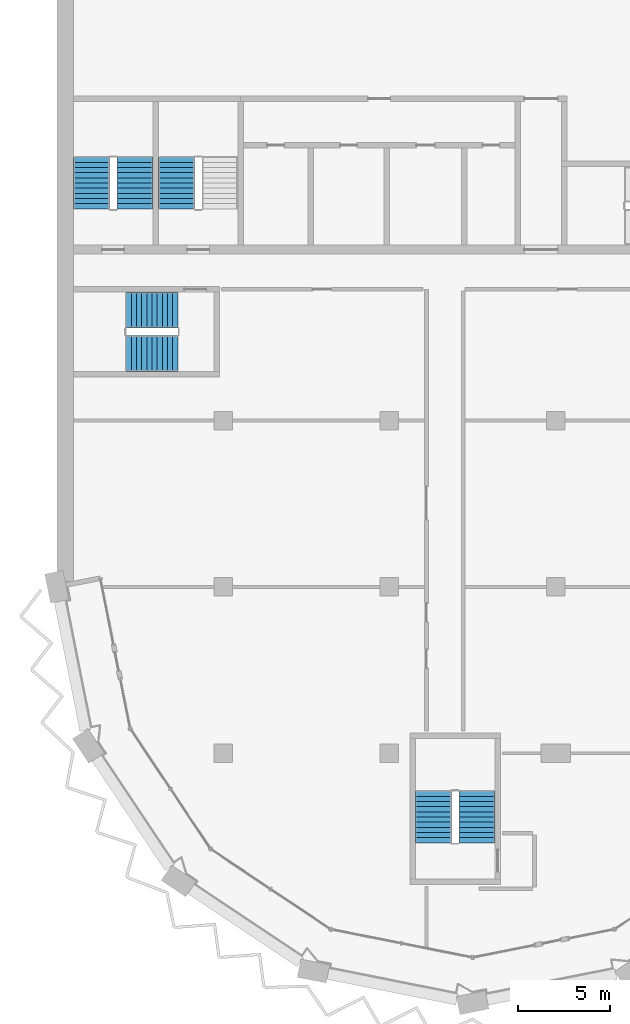
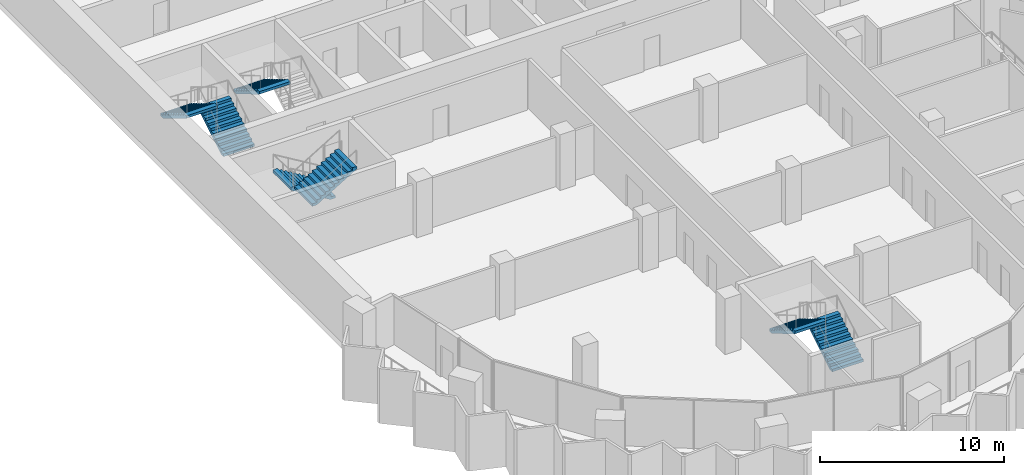
# One storey, part 11 of 16: 7 stair flights, 4 elements without a shape of their own.
"""IFC4 building model written with IfcOpenShell, lengths in metres."""

import ifcopenshell
import ifcopenshell.guid

model = None  # the IFC model being written
_history = None  # IfcOwnerHistory: only IFC2X3 demands one
_inside = {}  # id of a spatial element -> (the spatial element, [elements in it])
_under = {}  # id of a project, library or spatial element -> (it, [spatial elements below it])
_declared = {}  # id of a project -> (the project, [libraries it declares])
_typed = {}  # id of a type object -> (the type object, [elements of that type])
_made_of = {}  # id of a material, layer set ... -> (it, [elements and type objects made of it])


def new_model(schema):
    """Start an empty IFC model of exactly this schema.

    Asked for "IFC4X3", IfcOpenShell would pick the latest addendum, in which some entities
    have other attributes; the version numbers below select the first issue.
    IFC2X3 requires an IfcOwnerHistory on every rooted entity: one is made here for all.
    """
    global model, _history
    if schema == "IFC4X3":
        model = ifcopenshell.file(schema_version=(4, 3, 0, 0))
    else:
        model = ifcopenshell.file(schema=schema)
    _inside.clear()
    _under.clear()
    _declared.clear()
    _typed.clear()
    _made_of.clear()
    _history = None
    if model.schema == "IFC2X3":
        org = make("IfcOrganization", Name="unknown")
        user = make(
            "IfcPersonAndOrganization",
            ThePerson=make("IfcPerson", FamilyName="unknown"),
            TheOrganization=org,
        )
        app = make(
            "IfcApplication",
            ApplicationDeveloper=org,
            Version="unknown",
            ApplicationFullName="unknown",
            ApplicationIdentifier="unknown",
        )
        _history = make(
            "IfcOwnerHistory",
            OwningUser=user,
            OwningApplication=app,
            ChangeAction="ADDED",
            CreationDate=0,
        )
    return model


def make(cls, **values):
    """One entity of the class cls with the attributes given. An attribute that is None is left unset."""
    return model.create_entity(
        cls, **{name: value for name, value in values.items() if value is not None}
    )


def rooted(cls, **values):
    """An entity with a GlobalId (a new one), such as an element, a storey or a relation."""
    return make(cls, GlobalId=ifcopenshell.guid.new(), OwnerHistory=_history, **values)


def si_unit(unit_type, name, prefix=None):
    """IfcSIUnit, for example si_unit("LENGTHUNIT", "METRE", prefix="MILLI")."""
    return make("IfcSIUnit", UnitType=unit_type, Prefix=prefix, Name=name)


def assignment(units):
    """IfcUnitAssignment: the units of a project."""
    return None if units is None else make("IfcUnitAssignment", Units=units)


def point(xyz):
    """IfcCartesianPoint."""
    return None if xyz is None else make("IfcCartesianPoint", Coordinates=xyz)


def direction(xyz):
    """IfcDirection."""
    return None if xyz is None else make("IfcDirection", DirectionRatios=xyz)


def frame(location, z_axis=None, x_axis=None):
    """IfcAxis2Placement3D, a coordinate frame: its origin and axes. An axis left out is left unset."""
    return make(
        "IfcAxis2Placement3D",
        Location=point(location),
        Axis=direction(z_axis),
        RefDirection=direction(x_axis),
    )


def origin():
    """The frame at (0, 0, 0) with its axes left unset."""
    return frame((0.0, 0.0, 0.0))


def place(relative_to, where):
    """IfcLocalPlacement: puts the frame where relative to a parent placement (None: the world)."""
    return make(
        "IfcLocalPlacement", PlacementRelTo=relative_to, RelativePlacement=where
    )


def context(
    kind, dimensions, precision=None, world=None, true_north=None, identifier=None
):
    """IfcGeometricRepresentationContext, for example the 3D "Model" context."""
    return make(
        "IfcGeometricRepresentationContext",
        ContextIdentifier=identifier,
        ContextType=kind,
        CoordinateSpaceDimension=dimensions,
        Precision=precision,
        WorldCoordinateSystem=world,
        TrueNorth=true_north,
    )


def subcontext(parent, identifier, kind, view, scale=None):
    """IfcGeometricRepresentationSubContext, for example "Body" below "Model"."""
    return make(
        "IfcGeometricRepresentationSubContext",
        ContextIdentifier=identifier,
        ContextType=kind,
        ParentContext=parent,
        TargetScale=scale,
        TargetView=view,
    )


def project(units=None, contexts=None):
    """IfcProject with its units and contexts."""
    return rooted(
        "IfcProject",
        Name="project",
        RepresentationContexts=contexts,
        UnitsInContext=assignment(units),
    )


def spatial(cls, under=None, at=None, **own):
    """A site, building, storey or space (cls), placed at a placement, below another one or the project."""
    s = rooted(cls, ObjectPlacement=at, **own)
    if under is not None:
        _under.setdefault(under.id(), (under, []))[1].append(s)
    return s


def polyline(points):
    """IfcPolyline through the points."""
    return make("IfcPolyline", Points=[point(p) for p in points])


def outline(outer, holes=None, kind="AREA"):
    """IfcArbitraryClosedProfileDef: a profile drawn as a closed curve; with holes, ...WithVoids."""
    if holes is None:
        return make("IfcArbitraryClosedProfileDef", ProfileType=kind, OuterCurve=outer)
    return make(
        "IfcArbitraryProfileDefWithVoids",
        ProfileType=kind,
        OuterCurve=outer,
        InnerCurves=holes,
    )


def extrude(swept, where, along, depth):
    """IfcExtrudedAreaSolid: the profile swept, set in the frame where, extruded along a direction by depth."""
    return make(
        "IfcExtrudedAreaSolid",
        SweptArea=swept,
        Position=where,
        ExtrudedDirection=direction(along),
        Depth=depth,
    )


def shape(context_of_items, identifier, shape_type, items):
    """IfcShapeRepresentation: the items that make up one representation, for example the "Body"."""
    return make(
        "IfcShapeRepresentation",
        ContextOfItems=context_of_items,
        RepresentationIdentifier=identifier,
        RepresentationType=shape_type,
        Items=items,
    )


def material(Name=None, Category=None):
    """IfcMaterial."""
    return make("IfcMaterial", Name=Name, Category=Category)


def made_of(thing, what):
    """Note that an element or type object is made of a material, layer set ...; save() writes the relation."""
    if what is not None:
        _made_of.setdefault(what.id(), (what, []))[1].append(thing)
    return thing


def type_object(cls, material=None, **own):
    """A type object (cls), such as IfcWallType, which elements share."""
    return made_of(rooted(cls, **own), material)


def element(
    cls,
    number,
    at=None,
    inside=None,
    cuts=None,
    type_object=None,
    material=None,
    context=None,
    identifier="Body",
    shape_type=None,
    held_by="IfcProductDefinitionShape",
    body=None,
    shapes=None,
    **own,
):
    """One element of the class cls, such as IfcWall. Its Tag is "e" and its number.

    at: its placement. inside: the storey or other place that contains it. cuts: it is an
    opening in that element (IfcRelVoidsElement). A single representation is given by context,
    identifier, shape_type and body (its items); several are given by shapes. held_by: the class
    of the entity that holds the representations. save() writes the other relations.
    """
    e = rooted(cls, Tag="e%d" % number, ObjectPlacement=at, **own)
    if body is not None:
        shapes = [shape(context, identifier, shape_type, body)]
    if shapes is not None:
        e.Representation = make(held_by, Representations=shapes)
    if inside is not None:
        _inside.setdefault(inside.id(), (inside, []))[1].append(e)
    if cuts is not None:
        rooted(
            "IfcRelVoidsElement", RelatingBuildingElement=cuts, RelatedOpeningElement=e
        )
    if type_object is not None:
        _typed.setdefault(type_object.id(), (type_object, []))[1].append(e)
    return made_of(e, material)


def aggregate(whole, parts):
    """IfcRelAggregates: a whole, such as a stair, and the parts it consists of."""
    return rooted("IfcRelAggregates", RelatingObject=whole, RelatedObjects=parts)


def save(model, path):
    """Write the relations noted so far, then the file.

    IfcRelAggregates (storeys below a building ...), IfcRelContainedInSpatialStructure (elements
    in a storey), IfcRelDefinesByType, IfcRelAssociatesMaterial and IfcRelDeclares: one each for
    every whole, place, type object, material and project.
    """
    for whole, parts in _under.values():
        aggregate(whole, parts)
    for where, things in _inside.values():
        rooted(
            "IfcRelContainedInSpatialStructure",
            RelatedElements=things,
            RelatingStructure=where,
        )
    for kind, things in _typed.values():
        rooted("IfcRelDefinesByType", RelatedObjects=things, RelatingType=kind)
    for what, things in _made_of.values():
        rooted("IfcRelAssociatesMaterial", RelatedObjects=things, RelatingMaterial=what)
    for by, libraries in _declared.values():
        rooted("IfcRelDeclares", RelatingContext=by, RelatedDefinitions=libraries)
    model.write(path)


model = new_model("IFC4")

# Units and contexts
model_context = context("Model", 3, precision=1e-05, world=origin(), true_north=direction((0.0, 1.0)))
body_context = subcontext(model_context, "Body", "Model", "MODEL_VIEW")
ifc_project = project(units=[si_unit("LENGTHUNIT", "METRE"), si_unit("AREAUNIT", "SQUARE_METRE"), si_unit("VOLUMEUNIT", "CUBIC_METRE"), si_unit("PLANEANGLEUNIT", "RADIAN"), si_unit("MASSUNIT", "GRAM", prefix="KILO")], contexts=[model_context])

# Site, building, storey
site_placement = place(None, origin())
site = spatial("IfcSite", under=ifc_project, at=site_placement, CompositionType="ELEMENT")
building_placement = place(site_placement, origin())
building = spatial("IfcBuilding", under=site, at=building_placement, Name="Hunhe Ridgeline Campus", CompositionType="ELEMENT")
storey_placement = place(building_placement, frame((0.0, 0.0, 257.699951171875)))
storey = spatial("IfcBuildingStorey", under=building, at=storey_placement, Name="L66", CompositionType="ELEMENT", Elevation=257.699951171875)

# Stair, stair flights
ifc_material = material(Name="Concrete C40", Category="concrete")
stair_type = type_object("IfcStairType", Name="Reinforced concrete dog-leg stair 1950 Concrete C40", PredefinedType="HALF_TURN_STAIR", material=ifc_material)
stair_1_placement = place(storey_placement, origin())
stair_1 = element("IfcStair", 1, at=stair_1_placement, inside=storey, type_object=stair_type, Name="L66 S3", PredefinedType="HALF_TURN_STAIR")
stair_flight_type = type_object("IfcStairFlightType", Name="Reinforced concrete stair flight 1950 Concrete C40", PredefinedType="STRAIGHT", material=ifc_material)
stair_flight_1_placement = place(storey_placement, frame((4.22509765625, 65.449951171875, 0.0), z_axis=(0.0, 0.0, 1.0), x_axis=(0.0, 1.0, 0.0)))
stair_flight_1 = element("IfcStairFlight", 2, at=stair_flight_1_placement, type_object=stair_flight_type, Name="ST3 flight 1", NumberOfRisers=11, NumberOfTreads=10, PredefinedType="STRAIGHT", RiserHeight=0.168181818, TreadLength=0.28, context=body_context, shape_type="SweptSolid", body=[
    extrude(outline(polyline([(0.0, 0.0), (0.0, 0.168212890625), (0.280029296875, 0.168212890625), (0.280029296875, 0.33642578125), (0.56005859375, 0.33642578125), (0.56005859375, 0.504638671875), (0.840087890625, 0.504638671875), (0.840087890625, 0.672607421875), (1.1201171875, 0.672607421875), (1.1201171875, 0.8408203125), (1.39990234375, 0.8408203125), (1.39990234375, 1.009033203125), (1.679931640625, 1.009033203125), (1.679931640625, 1.17724609375), (1.9599609375, 1.17724609375), (1.9599609375, 1.345458984375), (2.239990234375, 1.345458984375), (2.239990234375, 1.513671875), (2.52001953125, 1.513671875), (2.52001953125, 1.681884765625), (2.800048828125, 1.681884765625), (2.800048828125, 1.85009765625), (2.800048828125, 1.5068359375), (0.291015625, 0.0), (0.0, 0.0)])), frame((0.0, 0.97509765625, 0.0), z_axis=(0.0, -1.0, 0.0), x_axis=(1.0, 0.0, 0.0)), (0.0, 0.0, 1.0), 1.949951171875),
    extrude(outline(polyline([(0.030029296875, 0.030029296875), (0.030029296875, 0.13818359375), (0.31005859375, 0.13818359375), (0.31005859375, 0.306396484375), (0.590087890625, 0.306396484375), (0.590087890625, 0.474609375), (0.8701171875, 0.474609375), (0.8701171875, 0.642578125), (1.14990234375, 0.642578125), (1.14990234375, 0.810791015625), (1.429931640625, 0.810791015625), (1.429931640625, 0.97900390625), (1.7099609375, 0.97900390625), (1.7099609375, 1.147216796875), (1.989990234375, 1.147216796875), (1.989990234375, 1.3154296875), (2.27001953125, 1.3154296875), (2.27001953125, 1.483642578125), (2.550048828125, 1.483642578125), (2.550048828125, 1.65185546875), (2.77001953125, 1.65185546875), (2.77001953125, 1.52392578125), (0.28271484375, 0.030029296875), (0.030029296875, 0.030029296875)])), frame((0.0, -0.070068359375, 0.0), z_axis=(0.0, -1.0, 0.0), x_axis=(1.0, 0.0, 0.0)), (0.0, 0.0, 1.0), 0.019775390625),
    extrude(outline(polyline([(0.030029296875, 0.030029296875), (0.030029296875, 0.13818359375), (0.31005859375, 0.13818359375), (0.31005859375, 0.306396484375), (0.590087890625, 0.306396484375), (0.590087890625, 0.474609375), (0.8701171875, 0.474609375), (0.8701171875, 0.642578125), (1.14990234375, 0.642578125), (1.14990234375, 0.810791015625), (1.429931640625, 0.810791015625), (1.429931640625, 0.97900390625), (1.7099609375, 0.97900390625), (1.7099609375, 1.147216796875), (1.989990234375, 1.147216796875), (1.989990234375, 1.3154296875), (2.27001953125, 1.3154296875), (2.27001953125, 1.483642578125), (2.550048828125, 1.483642578125), (2.550048828125, 1.65185546875), (2.77001953125, 1.65185546875), (2.77001953125, 1.52392578125), (0.28271484375, 0.030029296875), (0.030029296875, 0.030029296875)])), frame((0.0, 0.010009765625, 0.0), z_axis=(0.0, -1.0, 0.0), x_axis=(1.0, 0.0, 0.0)), (0.0, 0.0, 1.0), 0.019775390625),
    extrude(outline(polyline([(0.030029296875, 0.030029296875), (0.030029296875, 0.13818359375), (0.31005859375, 0.13818359375), (0.31005859375, 0.306396484375), (0.590087890625, 0.306396484375), (0.590087890625, 0.474609375), (0.8701171875, 0.474609375), (0.8701171875, 0.642578125), (1.14990234375, 0.642578125), (1.14990234375, 0.810791015625), (1.429931640625, 0.810791015625), (1.429931640625, 0.97900390625), (1.7099609375, 0.97900390625), (1.7099609375, 1.147216796875), (1.989990234375, 1.147216796875), (1.989990234375, 1.3154296875), (2.27001953125, 1.3154296875), (2.27001953125, 1.483642578125), (2.550048828125, 1.483642578125), (2.550048828125, 1.65185546875), (2.77001953125, 1.65185546875), (2.77001953125, 1.52392578125), (0.28271484375, 0.030029296875), (0.030029296875, 0.030029296875)])), frame((0.0, 0.090087890625, 0.0), z_axis=(0.0, -1.0, 0.0), x_axis=(1.0, 0.0, 0.0)), (0.0, 0.0, 1.0), 0.019775390625),
])
stair_flight_2_placement = place(storey_placement, frame((1.875, 68.25, 1.85009765625), z_axis=(0.0, 0.0, 1.0), x_axis=(0.0, -1.0, 0.0)))
stair_flight_2 = element("IfcStairFlight", 3, at=stair_flight_2_placement, type_object=stair_flight_type, Name="ST3 flight 2", NumberOfRisers=11, NumberOfTreads=10, PredefinedType="STRAIGHT", RiserHeight=0.168181818, TreadLength=0.28, context=body_context, shape_type="SweptSolid", body=[
    extrude(outline(polyline([(0.0, 0.0), (0.0, 0.168212890625), (0.280029296875, 0.168212890625), (0.280029296875, 0.33642578125), (0.56005859375, 0.33642578125), (0.56005859375, 0.504638671875), (0.840087890625, 0.504638671875), (0.840087890625, 0.672607421875), (1.1201171875, 0.672607421875), (1.1201171875, 0.8408203125), (1.39990234375, 0.8408203125), (1.39990234375, 1.009033203125), (1.679931640625, 1.009033203125), (1.679931640625, 1.17724609375), (1.9599609375, 1.17724609375), (1.9599609375, 1.345458984375), (2.239990234375, 1.345458984375), (2.239990234375, 1.513671875), (2.52001953125, 1.513671875), (2.52001953125, 1.681884765625), (2.800048828125, 1.681884765625), (2.800048828125, 1.85009765625), (2.800048828125, 1.5068359375), (0.291015625, 0.0), (0.0, 0.0)])), frame((0.0, 0.97509765625, 0.0), z_axis=(0.0, -1.0, 0.0), x_axis=(1.0, 0.0, 0.0)), (0.0, 0.0, 1.0), 1.949951171875),
    extrude(outline(polyline([(0.030029296875, 0.030029296875), (0.030029296875, 0.13818359375), (0.31005859375, 0.13818359375), (0.31005859375, 0.306396484375), (0.590087890625, 0.306396484375), (0.590087890625, 0.474609375), (0.8701171875, 0.474609375), (0.8701171875, 0.642578125), (1.14990234375, 0.642578125), (1.14990234375, 0.810791015625), (1.429931640625, 0.810791015625), (1.429931640625, 0.97900390625), (1.7099609375, 0.97900390625), (1.7099609375, 1.147216796875), (1.989990234375, 1.147216796875), (1.989990234375, 1.3154296875), (2.27001953125, 1.3154296875), (2.27001953125, 1.483642578125), (2.550048828125, 1.483642578125), (2.550048828125, 1.65185546875), (2.77001953125, 1.65185546875), (2.77001953125, 1.52392578125), (0.28271484375, 0.030029296875), (0.030029296875, 0.030029296875)])), frame((0.0, -0.070068359375, 0.0), z_axis=(0.0, -1.0, 0.0), x_axis=(1.0, 0.0, 0.0)), (0.0, 0.0, 1.0), 0.019775390625),
    extrude(outline(polyline([(0.030029296875, 0.030029296875), (0.030029296875, 0.13818359375), (0.31005859375, 0.13818359375), (0.31005859375, 0.306396484375), (0.590087890625, 0.306396484375), (0.590087890625, 0.474609375), (0.8701171875, 0.474609375), (0.8701171875, 0.642578125), (1.14990234375, 0.642578125), (1.14990234375, 0.810791015625), (1.429931640625, 0.810791015625), (1.429931640625, 0.97900390625), (1.7099609375, 0.97900390625), (1.7099609375, 1.147216796875), (1.989990234375, 1.147216796875), (1.989990234375, 1.3154296875), (2.27001953125, 1.3154296875), (2.27001953125, 1.483642578125), (2.550048828125, 1.483642578125), (2.550048828125, 1.65185546875), (2.77001953125, 1.65185546875), (2.77001953125, 1.52392578125), (0.28271484375, 0.030029296875), (0.030029296875, 0.030029296875)])), frame((0.0, 0.010009765625, 0.0), z_axis=(0.0, -1.0, 0.0), x_axis=(1.0, 0.0, 0.0)), (0.0, 0.0, 1.0), 0.019775390625),
    extrude(outline(polyline([(0.030029296875, 0.030029296875), (0.030029296875, 0.13818359375), (0.31005859375, 0.13818359375), (0.31005859375, 0.306396484375), (0.590087890625, 0.306396484375), (0.590087890625, 0.474609375), (0.8701171875, 0.474609375), (0.8701171875, 0.642578125), (1.14990234375, 0.642578125), (1.14990234375, 0.810791015625), (1.429931640625, 0.810791015625), (1.429931640625, 0.97900390625), (1.7099609375, 0.97900390625), (1.7099609375, 1.147216796875), (1.989990234375, 1.147216796875), (1.989990234375, 1.3154296875), (2.27001953125, 1.3154296875), (2.27001953125, 1.483642578125), (2.550048828125, 1.483642578125), (2.550048828125, 1.65185546875), (2.77001953125, 1.65185546875), (2.77001953125, 1.52392578125), (0.28271484375, 0.030029296875), (0.030029296875, 0.030029296875)])), frame((0.0, 0.090087890625, 0.0), z_axis=(0.0, -1.0, 0.0), x_axis=(1.0, 0.0, 0.0)), (0.0, 0.0, 1.0), 0.019775390625),
])
aggregate(stair_1, [stair_flight_1, stair_flight_2])

# Stair, stair flight
stair_2_placement = place(storey_placement, origin())
stair_2 = element("IfcStair", 4, at=stair_2_placement, inside=storey, type_object=stair_type, Name="L66 S4", PredefinedType="HALF_TURN_STAIR")
stair_flight_3_placement = place(storey_placement, frame((6.47509765625, 68.25, 1.85009765625), z_axis=(0.0, 0.0, 1.0), x_axis=(0.0, -1.0, 0.0)))
stair_flight_3 = element("IfcStairFlight", 5, at=stair_flight_3_placement, type_object=stair_flight_type, Name="ST4 flight 2", NumberOfRisers=11, NumberOfTreads=10, PredefinedType="STRAIGHT", RiserHeight=0.168181818, TreadLength=0.28, context=body_context, shape_type="SweptSolid", body=[
    extrude(outline(polyline([(0.0, 0.0), (0.0, 0.168212890625), (0.280029296875, 0.168212890625), (0.280029296875, 0.33642578125), (0.56005859375, 0.33642578125), (0.56005859375, 0.504638671875), (0.840087890625, 0.504638671875), (0.840087890625, 0.672607421875), (1.1201171875, 0.672607421875), (1.1201171875, 0.8408203125), (1.39990234375, 0.8408203125), (1.39990234375, 1.009033203125), (1.679931640625, 1.009033203125), (1.679931640625, 1.17724609375), (1.9599609375, 1.17724609375), (1.9599609375, 1.345458984375), (2.239990234375, 1.345458984375), (2.239990234375, 1.513671875), (2.52001953125, 1.513671875), (2.52001953125, 1.681884765625), (2.800048828125, 1.681884765625), (2.800048828125, 1.85009765625), (2.800048828125, 1.5068359375), (0.291015625, 0.0), (0.0, 0.0)])), frame((0.0, 0.97509765625, 0.0), z_axis=(0.0, -1.0, 0.0), x_axis=(1.0, 0.0, 0.0)), (0.0, 0.0, 1.0), 1.949951171875),
    extrude(outline(polyline([(0.030029296875, 0.030029296875), (0.030029296875, 0.13818359375), (0.31005859375, 0.13818359375), (0.31005859375, 0.306396484375), (0.590087890625, 0.306396484375), (0.590087890625, 0.474609375), (0.8701171875, 0.474609375), (0.8701171875, 0.642578125), (1.14990234375, 0.642578125), (1.14990234375, 0.810791015625), (1.429931640625, 0.810791015625), (1.429931640625, 0.97900390625), (1.7099609375, 0.97900390625), (1.7099609375, 1.147216796875), (1.989990234375, 1.147216796875), (1.989990234375, 1.3154296875), (2.27001953125, 1.3154296875), (2.27001953125, 1.483642578125), (2.550048828125, 1.483642578125), (2.550048828125, 1.65185546875), (2.77001953125, 1.65185546875), (2.77001953125, 1.52392578125), (0.28271484375, 0.030029296875), (0.030029296875, 0.030029296875)])), frame((0.0, -0.070068359375, 0.0), z_axis=(0.0, -1.0, 0.0), x_axis=(1.0, 0.0, 0.0)), (0.0, 0.0, 1.0), 0.019775390625),
    extrude(outline(polyline([(0.030029296875, 0.030029296875), (0.030029296875, 0.13818359375), (0.31005859375, 0.13818359375), (0.31005859375, 0.306396484375), (0.590087890625, 0.306396484375), (0.590087890625, 0.474609375), (0.8701171875, 0.474609375), (0.8701171875, 0.642578125), (1.14990234375, 0.642578125), (1.14990234375, 0.810791015625), (1.429931640625, 0.810791015625), (1.429931640625, 0.97900390625), (1.7099609375, 0.97900390625), (1.7099609375, 1.147216796875), (1.989990234375, 1.147216796875), (1.989990234375, 1.3154296875), (2.27001953125, 1.3154296875), (2.27001953125, 1.483642578125), (2.550048828125, 1.483642578125), (2.550048828125, 1.65185546875), (2.77001953125, 1.65185546875), (2.77001953125, 1.52392578125), (0.28271484375, 0.030029296875), (0.030029296875, 0.030029296875)])), frame((0.0, 0.010009765625, 0.0), z_axis=(0.0, -1.0, 0.0), x_axis=(1.0, 0.0, 0.0)), (0.0, 0.0, 1.0), 0.019775390625),
    extrude(outline(polyline([(0.030029296875, 0.030029296875), (0.030029296875, 0.13818359375), (0.31005859375, 0.13818359375), (0.31005859375, 0.306396484375), (0.590087890625, 0.306396484375), (0.590087890625, 0.474609375), (0.8701171875, 0.474609375), (0.8701171875, 0.642578125), (1.14990234375, 0.642578125), (1.14990234375, 0.810791015625), (1.429931640625, 0.810791015625), (1.429931640625, 0.97900390625), (1.7099609375, 0.97900390625), (1.7099609375, 1.147216796875), (1.989990234375, 1.147216796875), (1.989990234375, 1.3154296875), (2.27001953125, 1.3154296875), (2.27001953125, 1.483642578125), (2.550048828125, 1.483642578125), (2.550048828125, 1.65185546875), (2.77001953125, 1.65185546875), (2.77001953125, 1.52392578125), (0.28271484375, 0.030029296875), (0.030029296875, 0.030029296875)])), frame((0.0, 0.090087890625, 0.0), z_axis=(0.0, -1.0, 0.0), x_axis=(1.0, 0.0, 0.0)), (0.0, 0.0, 1.0), 0.019775390625),
])
aggregate(stair_2, [stair_flight_3])

# Stair, stair flights
stair_3_placement = place(storey_placement, origin())
stair_3 = element("IfcStair", 6, at=stair_3_placement, inside=storey, type_object=stair_type, Name="L66 W3", PredefinedType="HALF_TURN_STAIR")
stair_flight_4_placement = place(storey_placement, frame((22.72509765625, 31.14990234375, 0.0), z_axis=(0.0, 0.0, 1.0), x_axis=(0.0, 1.0, 0.0)))
stair_flight_4 = element("IfcStairFlight", 7, at=stair_flight_4_placement, type_object=stair_flight_type, Name="ST9 flight 1", NumberOfRisers=11, NumberOfTreads=10, PredefinedType="STRAIGHT", RiserHeight=0.168181818, TreadLength=0.28, context=body_context, shape_type="SweptSolid", body=[
    extrude(outline(polyline([(0.0, 0.0), (0.0, 0.168212890625), (0.280029296875, 0.168212890625), (0.280029296875, 0.33642578125), (0.56005859375, 0.33642578125), (0.56005859375, 0.504638671875), (0.840087890625, 0.504638671875), (0.840087890625, 0.672607421875), (1.1201171875, 0.672607421875), (1.1201171875, 0.8408203125), (1.39990234375, 0.8408203125), (1.39990234375, 1.009033203125), (1.679931640625, 1.009033203125), (1.679931640625, 1.17724609375), (1.9599609375, 1.17724609375), (1.9599609375, 1.345458984375), (2.239990234375, 1.345458984375), (2.239990234375, 1.513671875), (2.52001953125, 1.513671875), (2.52001953125, 1.681884765625), (2.800048828125, 1.681884765625), (2.800048828125, 1.85009765625), (2.800048828125, 1.5068359375), (0.291015625, 0.0), (0.0, 0.0)])), frame((0.0, 0.97509765625, 0.0), z_axis=(0.0, -1.0, 0.0), x_axis=(1.0, 0.0, 0.0)), (0.0, 0.0, 1.0), 1.949951171875),
    extrude(outline(polyline([(0.030029296875, 0.030029296875), (0.030029296875, 0.13818359375), (0.31005859375, 0.13818359375), (0.31005859375, 0.306396484375), (0.590087890625, 0.306396484375), (0.590087890625, 0.474609375), (0.8701171875, 0.474609375), (0.8701171875, 0.642578125), (1.14990234375, 0.642578125), (1.14990234375, 0.810791015625), (1.429931640625, 0.810791015625), (1.429931640625, 0.97900390625), (1.7099609375, 0.97900390625), (1.7099609375, 1.147216796875), (1.989990234375, 1.147216796875), (1.989990234375, 1.3154296875), (2.27001953125, 1.3154296875), (2.27001953125, 1.483642578125), (2.550048828125, 1.483642578125), (2.550048828125, 1.65185546875), (2.77001953125, 1.65185546875), (2.77001953125, 1.52392578125), (0.28271484375, 0.030029296875), (0.030029296875, 0.030029296875)])), frame((0.0, -0.070068359375, 0.0), z_axis=(0.0, -1.0, 0.0), x_axis=(1.0, 0.0, 0.0)), (0.0, 0.0, 1.0), 0.019775390625),
    extrude(outline(polyline([(0.030029296875, 0.030029296875), (0.030029296875, 0.13818359375), (0.31005859375, 0.13818359375), (0.31005859375, 0.306396484375), (0.590087890625, 0.306396484375), (0.590087890625, 0.474609375), (0.8701171875, 0.474609375), (0.8701171875, 0.642578125), (1.14990234375, 0.642578125), (1.14990234375, 0.810791015625), (1.429931640625, 0.810791015625), (1.429931640625, 0.97900390625), (1.7099609375, 0.97900390625), (1.7099609375, 1.147216796875), (1.989990234375, 1.147216796875), (1.989990234375, 1.3154296875), (2.27001953125, 1.3154296875), (2.27001953125, 1.483642578125), (2.550048828125, 1.483642578125), (2.550048828125, 1.65185546875), (2.77001953125, 1.65185546875), (2.77001953125, 1.52392578125), (0.28271484375, 0.030029296875), (0.030029296875, 0.030029296875)])), frame((0.0, 0.010009765625, 0.0), z_axis=(0.0, -1.0, 0.0), x_axis=(1.0, 0.0, 0.0)), (0.0, 0.0, 1.0), 0.019775390625),
    extrude(outline(polyline([(0.030029296875, 0.030029296875), (0.030029296875, 0.13818359375), (0.31005859375, 0.13818359375), (0.31005859375, 0.306396484375), (0.590087890625, 0.306396484375), (0.590087890625, 0.474609375), (0.8701171875, 0.474609375), (0.8701171875, 0.642578125), (1.14990234375, 0.642578125), (1.14990234375, 0.810791015625), (1.429931640625, 0.810791015625), (1.429931640625, 0.97900390625), (1.7099609375, 0.97900390625), (1.7099609375, 1.147216796875), (1.989990234375, 1.147216796875), (1.989990234375, 1.3154296875), (2.27001953125, 1.3154296875), (2.27001953125, 1.483642578125), (2.550048828125, 1.483642578125), (2.550048828125, 1.65185546875), (2.77001953125, 1.65185546875), (2.77001953125, 1.52392578125), (0.28271484375, 0.030029296875), (0.030029296875, 0.030029296875)])), frame((0.0, 0.090087890625, 0.0), z_axis=(0.0, -1.0, 0.0), x_axis=(1.0, 0.0, 0.0)), (0.0, 0.0, 1.0), 0.019775390625),
])
stair_flight_5_placement = place(storey_placement, frame((20.375, 33.949951171875, 1.85009765625), z_axis=(0.0, 0.0, 1.0), x_axis=(0.0, -1.0, 0.0)))
stair_flight_5 = element("IfcStairFlight", 8, at=stair_flight_5_placement, type_object=stair_flight_type, Name="ST9 flight 2", NumberOfRisers=11, NumberOfTreads=10, PredefinedType="STRAIGHT", RiserHeight=0.168181818, TreadLength=0.28, context=body_context, shape_type="SweptSolid", body=[
    extrude(outline(polyline([(0.0, 0.0), (0.0, 0.168212890625), (0.280029296875, 0.168212890625), (0.280029296875, 0.33642578125), (0.56005859375, 0.33642578125), (0.56005859375, 0.504638671875), (0.840087890625, 0.504638671875), (0.840087890625, 0.672607421875), (1.1201171875, 0.672607421875), (1.1201171875, 0.8408203125), (1.39990234375, 0.8408203125), (1.39990234375, 1.009033203125), (1.679931640625, 1.009033203125), (1.679931640625, 1.17724609375), (1.9599609375, 1.17724609375), (1.9599609375, 1.345458984375), (2.239990234375, 1.345458984375), (2.239990234375, 1.513671875), (2.52001953125, 1.513671875), (2.52001953125, 1.681884765625), (2.800048828125, 1.681884765625), (2.800048828125, 1.85009765625), (2.800048828125, 1.5068359375), (0.291015625, 0.0), (0.0, 0.0)])), frame((0.0, 0.97509765625, 0.0), z_axis=(0.0, -1.0, 0.0), x_axis=(1.0, 0.0, 0.0)), (0.0, 0.0, 1.0), 1.949951171875),
    extrude(outline(polyline([(0.030029296875, 0.030029296875), (0.030029296875, 0.13818359375), (0.31005859375, 0.13818359375), (0.31005859375, 0.306396484375), (0.590087890625, 0.306396484375), (0.590087890625, 0.474609375), (0.8701171875, 0.474609375), (0.8701171875, 0.642578125), (1.14990234375, 0.642578125), (1.14990234375, 0.810791015625), (1.429931640625, 0.810791015625), (1.429931640625, 0.97900390625), (1.7099609375, 0.97900390625), (1.7099609375, 1.147216796875), (1.989990234375, 1.147216796875), (1.989990234375, 1.3154296875), (2.27001953125, 1.3154296875), (2.27001953125, 1.483642578125), (2.550048828125, 1.483642578125), (2.550048828125, 1.65185546875), (2.77001953125, 1.65185546875), (2.77001953125, 1.52392578125), (0.28271484375, 0.030029296875), (0.030029296875, 0.030029296875)])), frame((0.0, -0.070068359375, 0.0), z_axis=(0.0, -1.0, 0.0), x_axis=(1.0, 0.0, 0.0)), (0.0, 0.0, 1.0), 0.019775390625),
    extrude(outline(polyline([(0.030029296875, 0.030029296875), (0.030029296875, 0.13818359375), (0.31005859375, 0.13818359375), (0.31005859375, 0.306396484375), (0.590087890625, 0.306396484375), (0.590087890625, 0.474609375), (0.8701171875, 0.474609375), (0.8701171875, 0.642578125), (1.14990234375, 0.642578125), (1.14990234375, 0.810791015625), (1.429931640625, 0.810791015625), (1.429931640625, 0.97900390625), (1.7099609375, 0.97900390625), (1.7099609375, 1.147216796875), (1.989990234375, 1.147216796875), (1.989990234375, 1.3154296875), (2.27001953125, 1.3154296875), (2.27001953125, 1.483642578125), (2.550048828125, 1.483642578125), (2.550048828125, 1.65185546875), (2.77001953125, 1.65185546875), (2.77001953125, 1.52392578125), (0.28271484375, 0.030029296875), (0.030029296875, 0.030029296875)])), frame((0.0, 0.010009765625, 0.0), z_axis=(0.0, -1.0, 0.0), x_axis=(1.0, 0.0, 0.0)), (0.0, 0.0, 1.0), 0.019775390625),
    extrude(outline(polyline([(0.030029296875, 0.030029296875), (0.030029296875, 0.13818359375), (0.31005859375, 0.13818359375), (0.31005859375, 0.306396484375), (0.590087890625, 0.306396484375), (0.590087890625, 0.474609375), (0.8701171875, 0.474609375), (0.8701171875, 0.642578125), (1.14990234375, 0.642578125), (1.14990234375, 0.810791015625), (1.429931640625, 0.810791015625), (1.429931640625, 0.97900390625), (1.7099609375, 0.97900390625), (1.7099609375, 1.147216796875), (1.989990234375, 1.147216796875), (1.989990234375, 1.3154296875), (2.27001953125, 1.3154296875), (2.27001953125, 1.483642578125), (2.550048828125, 1.483642578125), (2.550048828125, 1.65185546875), (2.77001953125, 1.65185546875), (2.77001953125, 1.52392578125), (0.28271484375, 0.030029296875), (0.030029296875, 0.030029296875)])), frame((0.0, 0.090087890625, 0.0), z_axis=(0.0, -1.0, 0.0), x_axis=(1.0, 0.0, 0.0)), (0.0, 0.0, 1.0), 0.019775390625),
])
aggregate(stair_3, [stair_flight_4, stair_flight_5])

stair_4_placement = place(storey_placement, origin())
stair_4 = element("IfcStair", 9, at=stair_4_placement, inside=storey, type_object=stair_type, Name="L66 W2", PredefinedType="HALF_TURN_STAIR")
stair_flight_6_placement = place(storey_placement, frame((6.550048828125, 59.97509765625, 0.0), z_axis=(0.0, 0.0, 1.0), x_axis=(-1.0, 0.0, 0.0)))
stair_flight_6 = element("IfcStairFlight", 10, at=stair_flight_6_placement, type_object=stair_flight_type, Name="ST12 flight 1", NumberOfRisers=11, NumberOfTreads=10, PredefinedType="STRAIGHT", RiserHeight=0.168181818, TreadLength=0.28, context=body_context, shape_type="SweptSolid", body=[
    extrude(outline(polyline([(0.0, 0.0), (0.0, 0.168212890625), (0.280029296875, 0.168212890625), (0.280029296875, 0.33642578125), (0.56005859375, 0.33642578125), (0.56005859375, 0.504638671875), (0.840087890625, 0.504638671875), (0.840087890625, 0.672607421875), (1.1201171875, 0.672607421875), (1.1201171875, 0.8408203125), (1.39990234375, 0.8408203125), (1.39990234375, 1.009033203125), (1.679931640625, 1.009033203125), (1.679931640625, 1.17724609375), (1.9599609375, 1.17724609375), (1.9599609375, 1.345458984375), (2.239990234375, 1.345458984375), (2.239990234375, 1.513671875), (2.52001953125, 1.513671875), (2.52001953125, 1.681884765625), (2.800048828125, 1.681884765625), (2.800048828125, 1.85009765625), (2.800048828125, 1.5068359375), (0.291015625, 0.0), (0.0, 0.0)])), frame((0.0, 0.97509765625, 0.0), z_axis=(0.0, -1.0, 0.0), x_axis=(1.0, 0.0, 0.0)), (0.0, 0.0, 1.0), 1.949951171875),
    extrude(outline(polyline([(0.030029296875, 0.030029296875), (0.030029296875, 0.13818359375), (0.31005859375, 0.13818359375), (0.31005859375, 0.306396484375), (0.590087890625, 0.306396484375), (0.590087890625, 0.474609375), (0.8701171875, 0.474609375), (0.8701171875, 0.642578125), (1.14990234375, 0.642578125), (1.14990234375, 0.810791015625), (1.429931640625, 0.810791015625), (1.429931640625, 0.97900390625), (1.7099609375, 0.97900390625), (1.7099609375, 1.147216796875), (1.989990234375, 1.147216796875), (1.989990234375, 1.3154296875), (2.27001953125, 1.3154296875), (2.27001953125, 1.483642578125), (2.550048828125, 1.483642578125), (2.550048828125, 1.65185546875), (2.77001953125, 1.65185546875), (2.77001953125, 1.52392578125), (0.28271484375, 0.030029296875), (0.030029296875, 0.030029296875)])), frame((0.0, -0.070068359375, 0.0), z_axis=(0.0, -1.0, 0.0), x_axis=(1.0, 0.0, 0.0)), (0.0, 0.0, 1.0), 0.019775390625),
    extrude(outline(polyline([(0.030029296875, 0.030029296875), (0.030029296875, 0.13818359375), (0.31005859375, 0.13818359375), (0.31005859375, 0.306396484375), (0.590087890625, 0.306396484375), (0.590087890625, 0.474609375), (0.8701171875, 0.474609375), (0.8701171875, 0.642578125), (1.14990234375, 0.642578125), (1.14990234375, 0.810791015625), (1.429931640625, 0.810791015625), (1.429931640625, 0.97900390625), (1.7099609375, 0.97900390625), (1.7099609375, 1.147216796875), (1.989990234375, 1.147216796875), (1.989990234375, 1.3154296875), (2.27001953125, 1.3154296875), (2.27001953125, 1.483642578125), (2.550048828125, 1.483642578125), (2.550048828125, 1.65185546875), (2.77001953125, 1.65185546875), (2.77001953125, 1.52392578125), (0.28271484375, 0.030029296875), (0.030029296875, 0.030029296875)])), frame((0.0, 0.010009765625, 0.0), z_axis=(0.0, -1.0, 0.0), x_axis=(1.0, 0.0, 0.0)), (0.0, 0.0, 1.0), 0.019775390625),
    extrude(outline(polyline([(0.030029296875, 0.030029296875), (0.030029296875, 0.13818359375), (0.31005859375, 0.13818359375), (0.31005859375, 0.306396484375), (0.590087890625, 0.306396484375), (0.590087890625, 0.474609375), (0.8701171875, 0.474609375), (0.8701171875, 0.642578125), (1.14990234375, 0.642578125), (1.14990234375, 0.810791015625), (1.429931640625, 0.810791015625), (1.429931640625, 0.97900390625), (1.7099609375, 0.97900390625), (1.7099609375, 1.147216796875), (1.989990234375, 1.147216796875), (1.989990234375, 1.3154296875), (2.27001953125, 1.3154296875), (2.27001953125, 1.483642578125), (2.550048828125, 1.483642578125), (2.550048828125, 1.65185546875), (2.77001953125, 1.65185546875), (2.77001953125, 1.52392578125), (0.28271484375, 0.030029296875), (0.030029296875, 0.030029296875)])), frame((0.0, 0.090087890625, 0.0), z_axis=(0.0, -1.0, 0.0), x_axis=(1.0, 0.0, 0.0)), (0.0, 0.0, 1.0), 0.019775390625),
])
stair_flight_7_placement = place(storey_placement, frame((3.75, 57.625, 1.85009765625), z_axis=(0.0, 0.0, 1.0), x_axis=(1.0, 0.0, 0.0)))
stair_flight_7 = element("IfcStairFlight", 11, at=stair_flight_7_placement, type_object=stair_flight_type, Name="ST12 flight 2", NumberOfRisers=11, NumberOfTreads=10, PredefinedType="STRAIGHT", RiserHeight=0.168181818, TreadLength=0.28, context=body_context, shape_type="SweptSolid", body=[
    extrude(outline(polyline([(0.0, 0.0), (0.0, 0.168212890625), (0.280029296875, 0.168212890625), (0.280029296875, 0.33642578125), (0.56005859375, 0.33642578125), (0.56005859375, 0.504638671875), (0.840087890625, 0.504638671875), (0.840087890625, 0.672607421875), (1.1201171875, 0.672607421875), (1.1201171875, 0.8408203125), (1.39990234375, 0.8408203125), (1.39990234375, 1.009033203125), (1.679931640625, 1.009033203125), (1.679931640625, 1.17724609375), (1.9599609375, 1.17724609375), (1.9599609375, 1.345458984375), (2.239990234375, 1.345458984375), (2.239990234375, 1.513671875), (2.52001953125, 1.513671875), (2.52001953125, 1.681884765625), (2.800048828125, 1.681884765625), (2.800048828125, 1.85009765625), (2.800048828125, 1.5068359375), (0.291015625, 0.0), (0.0, 0.0)])), frame((0.0, 0.97509765625, 0.0), z_axis=(0.0, -1.0, 0.0), x_axis=(1.0, 0.0, 0.0)), (0.0, 0.0, 1.0), 1.949951171875),
    extrude(outline(polyline([(0.030029296875, 0.030029296875), (0.030029296875, 0.13818359375), (0.31005859375, 0.13818359375), (0.31005859375, 0.306396484375), (0.590087890625, 0.306396484375), (0.590087890625, 0.474609375), (0.8701171875, 0.474609375), (0.8701171875, 0.642578125), (1.14990234375, 0.642578125), (1.14990234375, 0.810791015625), (1.429931640625, 0.810791015625), (1.429931640625, 0.97900390625), (1.7099609375, 0.97900390625), (1.7099609375, 1.147216796875), (1.989990234375, 1.147216796875), (1.989990234375, 1.3154296875), (2.27001953125, 1.3154296875), (2.27001953125, 1.483642578125), (2.550048828125, 1.483642578125), (2.550048828125, 1.65185546875), (2.77001953125, 1.65185546875), (2.77001953125, 1.52392578125), (0.28271484375, 0.030029296875), (0.030029296875, 0.030029296875)])), frame((0.0, -0.070068359375, 0.0), z_axis=(0.0, -1.0, 0.0), x_axis=(1.0, 0.0, 0.0)), (0.0, 0.0, 1.0), 0.019775390625),
    extrude(outline(polyline([(0.030029296875, 0.030029296875), (0.030029296875, 0.13818359375), (0.31005859375, 0.13818359375), (0.31005859375, 0.306396484375), (0.590087890625, 0.306396484375), (0.590087890625, 0.474609375), (0.8701171875, 0.474609375), (0.8701171875, 0.642578125), (1.14990234375, 0.642578125), (1.14990234375, 0.810791015625), (1.429931640625, 0.810791015625), (1.429931640625, 0.97900390625), (1.7099609375, 0.97900390625), (1.7099609375, 1.147216796875), (1.989990234375, 1.147216796875), (1.989990234375, 1.3154296875), (2.27001953125, 1.3154296875), (2.27001953125, 1.483642578125), (2.550048828125, 1.483642578125), (2.550048828125, 1.65185546875), (2.77001953125, 1.65185546875), (2.77001953125, 1.52392578125), (0.28271484375, 0.030029296875), (0.030029296875, 0.030029296875)])), frame((0.0, 0.010009765625, 0.0), z_axis=(0.0, -1.0, 0.0), x_axis=(1.0, 0.0, 0.0)), (0.0, 0.0, 1.0), 0.019775390625),
    extrude(outline(polyline([(0.030029296875, 0.030029296875), (0.030029296875, 0.13818359375), (0.31005859375, 0.13818359375), (0.31005859375, 0.306396484375), (0.590087890625, 0.306396484375), (0.590087890625, 0.474609375), (0.8701171875, 0.474609375), (0.8701171875, 0.642578125), (1.14990234375, 0.642578125), (1.14990234375, 0.810791015625), (1.429931640625, 0.810791015625), (1.429931640625, 0.97900390625), (1.7099609375, 0.97900390625), (1.7099609375, 1.147216796875), (1.989990234375, 1.147216796875), (1.989990234375, 1.3154296875), (2.27001953125, 1.3154296875), (2.27001953125, 1.483642578125), (2.550048828125, 1.483642578125), (2.550048828125, 1.65185546875), (2.77001953125, 1.65185546875), (2.77001953125, 1.52392578125), (0.28271484375, 0.030029296875), (0.030029296875, 0.030029296875)])), frame((0.0, 0.090087890625, 0.0), z_axis=(0.0, -1.0, 0.0), x_axis=(1.0, 0.0, 0.0)), (0.0, 0.0, 1.0), 0.019775390625),
])
aggregate(stair_4, [stair_flight_6, stair_flight_7])

save(model, "model.ifc")
